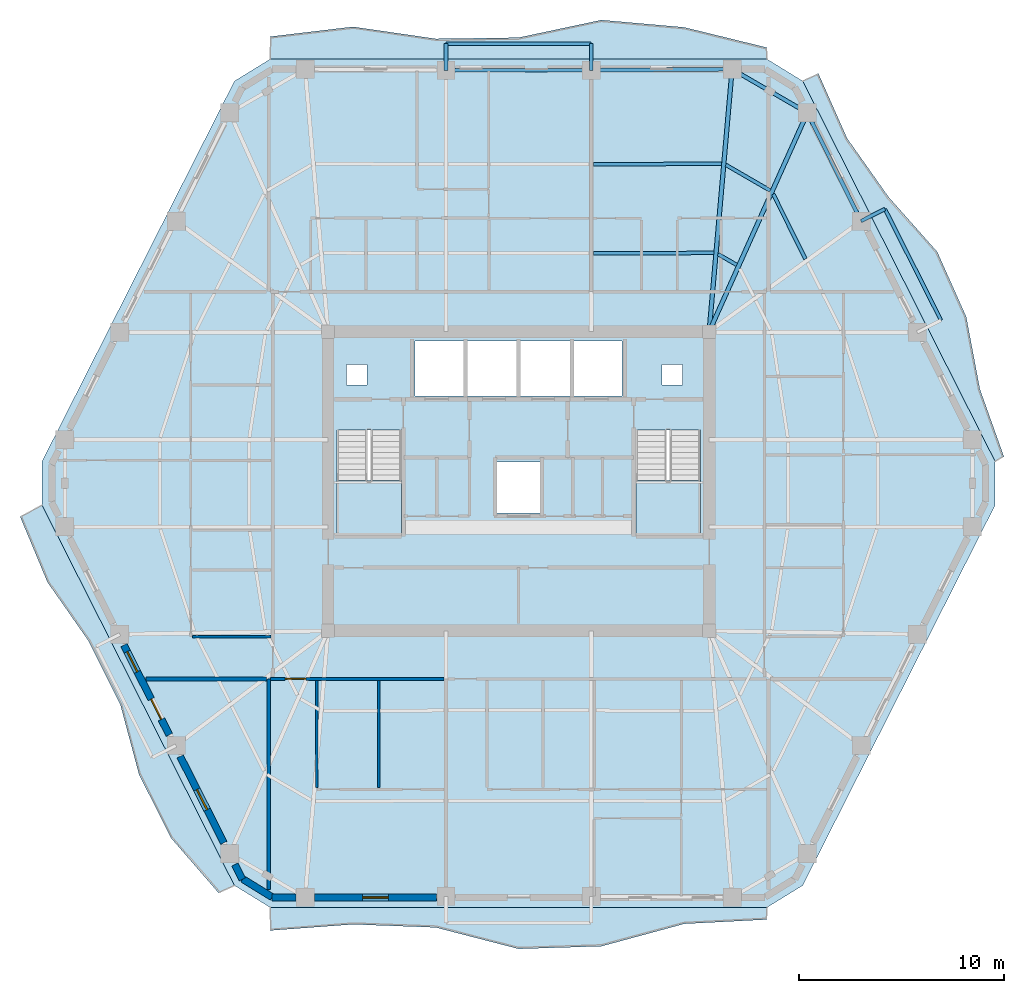
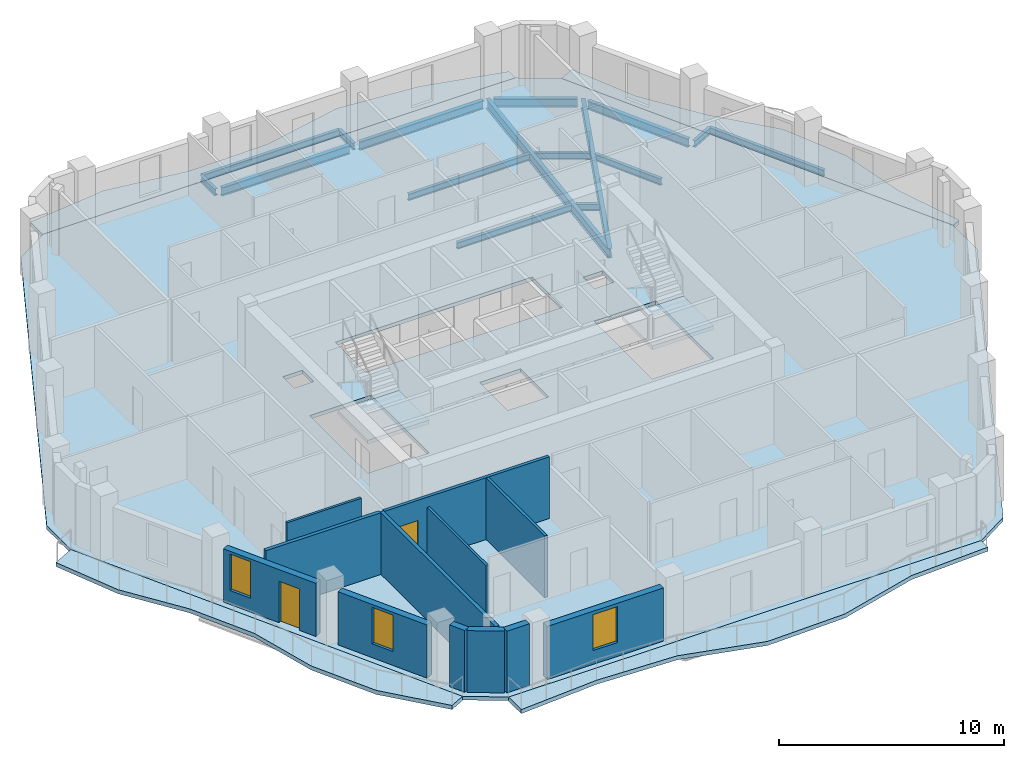
# One storey, part 3 of 11: 16 beams, 12 walls, 7 slabs, 3 windows, 2 doors, 5 openings, 2 elements without a shape of their own.
"""IFC4 building model written with IfcOpenShell, lengths in metres."""

from ifc_helpers import new_model, si_unit, direction, frame, frame_2d, origin, origin_2d, place, context, subcontext, project, spatial, polyline, rectangle, i_section, outline, extrude, material, layer, layer_set, material_profile, profile_set, type_object, element, fill, aggregate, save


model = new_model("IFC4")

# Units and contexts
model_context = context("Model", 3, precision=1e-05, world=origin(), true_north=direction((0.0, 1.0)))
body_context = subcontext(model_context, "Body", "Model", "MODEL_VIEW")
ifc_project = project(units=[si_unit("LENGTHUNIT", "METRE"), si_unit("AREAUNIT", "SQUARE_METRE"), si_unit("VOLUMEUNIT", "CUBIC_METRE"), si_unit("PLANEANGLEUNIT", "RADIAN"), si_unit("MASSUNIT", "GRAM", prefix="KILO")], contexts=[model_context])

# Site, building, storey
site_placement = place(None, origin())
site = spatial("IfcSite", under=ifc_project, at=site_placement, CompositionType="ELEMENT")
building_placement = place(site_placement, origin())
building = spatial("IfcBuilding", under=site, at=building_placement, Name="Cinnabar Lancet Tower", CompositionType="ELEMENT")
storey_placement = place(building_placement, frame((0.0, 0.0, 175.449951171875)))
storey = spatial("IfcBuildingStorey", under=building, at=storey_placement, Name="L46", CompositionType="ELEMENT", Elevation=175.449951171875)

# Beams
ifc_material_1 = material(Name="Structural steel S355", Category="steel")
ifc_material_profile_1 = material_profile(ifc_material_1, i_section(OverallWidth=0.17138671875, OverallDepth=0.35498046875, WebThickness=0.00732421875, FlangeThickness=0.011474609375, FilletRadius=0.01025390625, at=origin_2d()), Name="UKB 356x171x51")
ifc_profile_set_1 = profile_set([ifc_material_profile_1], Name="Structural steel S355")
beam_type_1 = type_object("IfcBeamType", Name="STR-BM-JST-356", PredefinedType="JOIST", material=ifc_profile_set_1)
beam_1_placement = place(storey_placement, frame((46.40087890625, 36.75, -0.3779296875), z_axis=(-0.444780091128, 0.895639810714, 0.0), x_axis=(-0.895639810714, -0.444780091128, 0.0)))
element("IfcBeam", 1, at=beam_1_placement, inside=storey, type_object=beam_type_1, Name="L46 Secondary Floor Joist 29", PredefinedType="JOIST", context=body_context, shape_type="SweptSolid", body=[
    extrude(i_section(OverallWidth=0.17138671875, OverallDepth=0.35498046875, WebThickness=0.00732421875, FlangeThickness=0.011474609375, FilletRadius=0.01025390625, at=origin_2d()), origin(), (0.0, 0.0, 1.0), 3.533935546875),
])
beam_2_placement = place(storey_placement, frame((44.677978515625, 40.089111328125, -0.3779296875), z_axis=(-0.865267839663, 0.501309849937, 0.0), x_axis=(-0.501309849937, -0.865267839663, 0.0)))
element("IfcBeam", 2, at=beam_2_placement, inside=storey, type_object=beam_type_1, Name="L46 Secondary Floor Joist 31", PredefinedType="JOIST", context=body_context, shape_type="SweptSolid", body=[
    extrude(i_section(OverallWidth=0.17138671875, OverallDepth=0.35498046875, WebThickness=0.00732421875, FlangeThickness=0.011474609375, FilletRadius=0.01025390625, at=origin_2d()), origin(), (0.0, 0.0, 1.0), 2.497314453125),
])
beam_3_placement = place(storey_placement, frame((43.047119140625, 36.45703125, -0.3779296875), z_axis=(-0.8651881055, 0.501447446998, 0.0), x_axis=(-0.501447446998, -0.8651881055, 0.0)))
element("IfcBeam", 3, at=beam_3_placement, inside=storey, type_object=beam_type_1, Name="L46 Secondary Floor Joist 32", PredefinedType="JOIST", context=body_context, shape_type="SweptSolid", body=[
    extrude(i_section(OverallWidth=0.17138671875, OverallDepth=0.35498046875, WebThickness=0.00732421875, FlangeThickness=0.011474609375, FilletRadius=0.01025390625, at=origin_2d()), origin(), (0.0, 0.0, 1.0), 1.05322265625),
])
beam_4_placement = place(storey_placement, frame((42.31201171875, 41.39794921875, -0.3779296875), z_axis=(-0.999986965561, -0.005105752523, 0.0), x_axis=(0.005105752523, -0.999986965561, 0.0)))
element("IfcBeam", 4, at=beam_4_placement, inside=storey, type_object=beam_type_1, Name="L46 Secondary Floor Joist 33", PredefinedType="JOIST", context=body_context, shape_type="SweptSolid", body=[
    extrude(i_section(OverallWidth=0.17138671875, OverallDepth=0.35498046875, WebThickness=0.00732421875, FlangeThickness=0.011474609375, FilletRadius=0.01025390625, at=origin_2d()), origin(), (0.0, 0.0, 1.0), 6.263916015625),
])
beam_5_placement = place(storey_placement, frame((41.930908203125, 37.04296875, -0.3779296875), z_axis=(-0.999996795667, -0.002531532393, 0.0), x_axis=(0.002531532393, -0.999996795667, 0.0)))
element("IfcBeam", 5, at=beam_5_placement, inside=storey, type_object=beam_type_1, Name="L46 Secondary Floor Joist 34", PredefinedType="JOIST", context=body_context, shape_type="SweptSolid", body=[
    extrude(i_section(OverallWidth=0.17138671875, OverallDepth=0.35498046875, WebThickness=0.00732421875, FlangeThickness=0.011474609375, FilletRadius=0.01025390625, at=origin_2d()), origin(), (0.0, 0.0, 1.0), 5.8828125),
])
ifc_material_2 = material(Name="Structural steel S355", Category="steel")
ifc_material_profile_2 = material_profile(ifc_material_2, i_section(OverallWidth=0.1904296875, OverallDepth=0.45703125, WebThickness=0.009033203125, FlangeThickness=0.014404296875, FilletRadius=0.01025390625, at=origin_2d()), Name="UKB 457x191x74")
ifc_profile_set_2 = profile_set([ifc_material_profile_2], Name="Structural steel S355")
beam_type_2 = type_object("IfcBeamType", Name="STR-BM-SPN-457", PredefinedType="SPANDREL", material=ifc_profile_set_2)
beam_6_placement = place(storey_placement, frame((49.008056640625, 38.822998046875, -0.427978515625), z_axis=(-0.444932986899, 0.895563865489, 0.0), x_axis=(-0.895563865489, -0.444932986899, 0.0)))
element("IfcBeam", 6, at=beam_6_placement, inside=storey, type_object=beam_type_2, Name="L46 Perimeter Spandrel 11", PredefinedType="SPANDREL", context=body_context, shape_type="SweptSolid", body=[
    extrude(i_section(OverallWidth=0.1904296875, OverallDepth=0.45703125, WebThickness=0.009033203125, FlangeThickness=0.014404296875, FilletRadius=0.01025390625, at=origin_2d()), origin(), (0.0, 0.0, 1.0), 5.398681640625),
])
beam_7_placement = place(storey_placement, frame((46.279052734375, 44.007080078125, -0.427978515625), z_axis=(-0.865195717586, 0.501434313016, 0.0), x_axis=(-0.501434313016, -0.865195717586, 0.0)))
element("IfcBeam", 7, at=beam_7_placement, inside=storey, type_object=beam_type_2, Name="L46 Perimeter Spandrel 12", PredefinedType="SPANDREL", context=body_context, shape_type="SweptSolid", body=[
    extrude(i_section(OverallWidth=0.1904296875, OverallDepth=0.45703125, WebThickness=0.009033203125, FlangeThickness=0.014404296875, FilletRadius=0.01025390625, at=origin_2d()), origin(), (0.0, 0.0, 1.0), 3.7470703125),
])
beam_8_placement = place(storey_placement, frame((42.571044921875, 46.009033203125, -0.427978515625), z_axis=(-0.999970401924, -0.007693846685, 0.0), x_axis=(0.007693846685, -0.999970401924, 0.0)))
element("IfcBeam", 8, at=beam_8_placement, inside=storey, type_object=beam_type_2, Name="L46 Perimeter Spandrel 13", PredefinedType="SPANDREL", context=body_context, shape_type="SweptSolid", body=[
    extrude(i_section(OverallWidth=0.1904296875, OverallDepth=0.45703125, WebThickness=0.009033203125, FlangeThickness=0.014404296875, FilletRadius=0.01025390625, at=origin_2d()), origin(), (0.0, 0.0, 1.0), 6.378173828125),
])
beam_9_placement = place(storey_placement, frame((35.693115234375, 45.9580078125, -0.427978515625), z_axis=(-1.0, 0.0, 0.0), x_axis=(0.0, -1.0, 0.0)))
element("IfcBeam", 9, at=beam_9_placement, inside=storey, type_object=beam_type_2, Name="L46 Perimeter Spandrel 14", PredefinedType="SPANDREL", context=body_context, shape_type="SweptSolid", body=[
    extrude(i_section(OverallWidth=0.1904296875, OverallDepth=0.45703125, WebThickness=0.009033203125, FlangeThickness=0.014404296875, FilletRadius=0.01025390625, at=origin_2d()), origin(), (0.0, 0.0, 1.0), 6.586181640625),
])
ifc_material_3 = material(Name="Structural steel S355", Category="steel")
ifc_material_profile_3 = material_profile(ifc_material_3, i_section(OverallWidth=0.209228515625, OverallDepth=0.533203125, WebThickness=0.010009765625, FlangeThickness=0.015625, FilletRadius=0.0126953125, at=origin_2d()), Name="UKB 533x210x92")
ifc_profile_set_3 = profile_set([ifc_material_profile_3], Name="Structural steel S355")
beam_type_3 = type_object("IfcBeamType", Name="STR-BM-UKB533-92", PredefinedType="BEAM", material=ifc_profile_set_3)
beam_10_placement = place(storey_placement, frame((46.4951171875, 43.882080078125, -0.467041015625), z_axis=(-0.409527011626, -0.912297992297, 0.0), x_axis=(0.912297992297, -0.409527011626, 0.0)))
element("IfcBeam", 10, at=beam_10_placement, inside=storey, type_object=beam_type_3, Name="L46 Primary Floor Girder 12", PredefinedType="BEAM", context=body_context, shape_type="SweptSolid", body=[
    extrude(i_section(OverallWidth=0.209228515625, OverallDepth=0.533203125, WebThickness=0.010009765625, FlangeThickness=0.015625, FilletRadius=0.0126953125, at=origin_2d()), origin(), (0.0, 0.0, 1.0), 11.708984375),
])
beam_11_placement = place(storey_placement, frame((42.821044921875, 46.010986328125, -0.467041015625), z_axis=(-0.087176841412, -0.996192851973, 0.0), x_axis=(0.996192851973, -0.087176841412, 0.0)))
element("IfcBeam", 11, at=beam_11_placement, inside=storey, type_object=beam_type_3, Name="L46 Primary Floor Girder 13", PredefinedType="BEAM", context=body_context, shape_type="SweptSolid", body=[
    extrude(i_section(OverallWidth=0.209228515625, OverallDepth=0.533203125, WebThickness=0.010009765625, FlangeThickness=0.015625, FilletRadius=0.0126953125, at=origin_2d()), origin(), (0.0, 0.0, 1.0), 12.860107421875),
])
ifc_material_4 = material(Name="Structural steel S355", Category="steel")
ifc_material_profile_4 = material_profile(ifc_material_4, i_section(OverallWidth=0.17138671875, OverallDepth=0.35498046875, WebThickness=0.00732421875, FlangeThickness=0.011474609375, FilletRadius=0.01025390625, at=origin_2d()), Name="UKB 356x171x51")
ifc_profile_set_4 = profile_set([ifc_material_profile_4], Name="Structural steel S355")
beam_type_4 = type_object("IfcBeamType", Name="STR-BM-WAV-OUT", PredefinedType="BEAM", material=ifc_profile_set_4)
for number, where, z_axis, x_axis, name in (
    (12, (49.118896484375, 38.59912109375, -0.39794921875), (0.892314203325, 0.451414845285, 0.0), (-0.451414845285, 0.892314203325, 0.0), "L46 Face 3 Balcony Outlooker B"),
    (13, (35.943115234375, 45.9580078125, -0.39794921875), (0.0, 1.0, 0.0), (-1.0, 0.0, 0.0), "L46 Face 4 Balcony Outlooker A"),
    (14, (28.85693359375, 45.9580078125, -0.39794921875), (0.0, 1.0, 0.0), (-1.0, 0.0, 0.0), "L46 Face 4 Balcony Outlooker B"),
):
    element("IfcBeam", number, at=place(storey_placement, frame(where, z_axis=z_axis, x_axis=x_axis)), inside=storey, type_object=beam_type_4, Name=name, PredefinedType="BEAM", context=body_context, shape_type="SweptSolid", body=[
        extrude(i_section(OverallWidth=0.17138671875, OverallDepth=0.35498046875, WebThickness=0.00732421875, FlangeThickness=0.011474609375, FilletRadius=0.01025390625, at=origin_2d()), origin(), (0.0, 0.0, 1.0), 1.300048828125),
    ])
ifc_material_5 = material(Name="Structural steel S355", Category="steel")
ifc_material_profile_5 = material_profile(ifc_material_5, i_section(OverallWidth=0.17138671875, OverallDepth=0.35498046875, WebThickness=0.00732421875, FlangeThickness=0.011474609375, FilletRadius=0.01025390625, at=origin_2d()), Name="UKB 356x171x51")
ifc_profile_set_5 = profile_set([ifc_material_profile_5], Name="Structural steel S355")
beam_type_5 = type_object("IfcBeamType", Name="STR-BM-WAV-TRIM", PredefinedType="SPANDREL", material=ifc_profile_set_5)
beam_12_placement = place(storey_placement, frame((53.01806640625, 33.758056640625, -0.39794921875), z_axis=(-0.450503306898, 0.892774759093, 0.0), x_axis=(-0.892774759093, -0.450503306898, 0.0)))
element("IfcBeam", 15, at=beam_12_placement, inside=storey, type_object=beam_type_5, Name="L46 Face 3 Balcony Edge Trimmer", PredefinedType="SPANDREL", context=body_context, shape_type="SweptSolid", body=[
    extrude(i_section(OverallWidth=0.17138671875, OverallDepth=0.35498046875, WebThickness=0.00732421875, FlangeThickness=0.011474609375, FilletRadius=0.01025390625, at=origin_2d()), origin(), (0.0, 0.0, 1.0), 6.079833984375),
])
beam_13_placement = place(storey_placement, frame((35.943115234375, 47.258056640625, -0.39794921875), z_axis=(-1.0, 0.0, 0.0), x_axis=(0.0, -1.0, 0.0)))
element("IfcBeam", 16, at=beam_13_placement, inside=storey, type_object=beam_type_5, Name="L46 Face 4 Balcony Edge Trimmer", PredefinedType="SPANDREL", context=body_context, shape_type="SweptSolid", body=[
    extrude(i_section(OverallWidth=0.17138671875, OverallDepth=0.35498046875, WebThickness=0.00732421875, FlangeThickness=0.011474609375, FilletRadius=0.01025390625, at=origin_2d()), origin(), (0.0, 0.0, 1.0), 7.086181640625),
])

# Stair, slab
ifc_material_6 = material(Name="Concrete C40/50", Category="concrete")
stair_type = type_object("IfcStairType", Name="ST-CORE", PredefinedType="HALF_TURN_STAIR", material=ifc_material_6)
stair_1_placement = place(storey_placement, origin())
stair_1 = element("IfcStair", 17, at=stair_1_placement, inside=storey, type_object=stair_type, Name="L46 ST-1", PredefinedType="HALF_TURN_STAIR")
ifc_material_7 = material(Name="Concrete C40/50", Category="concrete")
ifc_layer_1 = layer(ifc_material_7, 0.199951171875)
ifc_layer_set_1 = layer_set([ifc_layer_1], Name="Concrete C40/50")
slab_type_1 = type_object("IfcSlabType", Name="LANDING-CORE", PredefinedType="LANDING", material=ifc_layer_set_1)
slab_1_placement = place(storey_placement, frame((0.0, 0.0, 1.574951171875)))
slab_1 = element("IfcSlab", 18, at=slab_1_placement, type_object=slab_type_1, Name="ST-1 landing 1", PredefinedType="LANDING", context=body_context, shape_type="SweptSolid", body=[
    extrude(outline(polyline([(23.52490234375, 25.925048828125), (23.52490234375, 23.25), (26.675048828125, 23.25), (26.675048828125, 25.925048828125), (23.52490234375, 25.925048828125)])), origin(), (0.0, 0.0, 1.0), 0.2001953125),
])
aggregate(stair_1, [slab_1])

stair_2_placement = place(storey_placement, origin())
stair_2 = element("IfcStair", 19, at=stair_2_placement, inside=storey, type_object=stair_type, Name="L46 ST-2", PredefinedType="HALF_TURN_STAIR")
slab_2_placement = place(storey_placement, frame((0.0, 0.0, 1.574951171875)))
slab_2 = element("IfcSlab", 20, at=slab_2_placement, type_object=slab_type_1, Name="ST-2 landing 1", PredefinedType="LANDING", context=body_context, shape_type="SweptSolid", body=[
    extrude(outline(polyline([(38.125, 25.925048828125), (38.125, 23.25), (41.27490234375, 23.25), (41.27490234375, 25.925048828125), (38.125, 25.925048828125)])), origin(), (0.0, 0.0, 1.0), 0.2001953125),
])
aggregate(stair_2, [slab_2])

# Slabs
ifc_material_8 = material(Name="Concrete C40/50", Category="concrete")
ifc_layer_2 = layer(ifc_material_8, 0.199951171875)
ifc_layer_set_2 = layer_set([ifc_layer_2], Name="Concrete C40/50")
slab_type_2 = type_object("IfcSlabType", Name="STR-SLB-FLR-200", PredefinedType="FLOOR", material=ifc_layer_set_2)
slab_3_placement = place(storey_placement, frame((0.0, 0.0, -0.199951171875)))
element("IfcSlab", 21, at=slab_3_placement, inside=storey, type_object=slab_type_2, Name="L46 Structural Floor Slab", PredefinedType="FLOOR", context=body_context, shape_type="SweptSolid", body=[
    extrude(outline(polyline([(18.530029296875, 6.1708984375), (20.27197265625, 5.10009765625), (44.528076171875, 5.10009765625), (46.27001953125, 6.1708984375), (55.657958984375, 24.72900390625), (55.657958984375, 26.87109375), (46.27001953125, 45.428955078125), (44.528076171875, 46.5), (20.27197265625, 46.5), (18.530029296875, 45.428955078125), (9.14208984375, 26.87109375), (9.14208984375, 24.72900390625), (18.530029296875, 6.1708984375)]), holes=[polyline([(23.52490234375, 23.25), (26.675048828125, 23.25), (26.675048828125, 28.3994140625), (23.52490234375, 28.3994140625), (23.52490234375, 23.25)]), polyline([(38.125, 23.25), (41.27490234375, 23.25), (41.27490234375, 28.3994140625), (38.125, 28.3994140625), (38.125, 23.25)]), polyline([(27.35009765625, 30.050048828125), (37.449951171875, 30.050048828125), (37.449951171875, 32.75), (27.35009765625, 32.75), (27.35009765625, 30.050048828125)]), polyline([(31.35009765625, 24.35009765625), (33.449951171875, 24.35009765625), (33.449951171875, 26.85009765625), (31.35009765625, 26.85009765625), (31.35009765625, 24.35009765625)]), polyline([(24.0, 30.60009765625), (25.0, 30.60009765625), (25.0, 31.60009765625), (24.0, 31.60009765625), (24.0, 30.60009765625)]), polyline([(39.39990234375, 30.60009765625), (40.39990234375, 30.60009765625), (40.39990234375, 31.60009765625), (39.39990234375, 31.60009765625), (39.39990234375, 30.60009765625)])]), origin(), (0.0, 0.0, 1.0), 0.199951171875),
])
ifc_material_9 = material(Name="Concrete C45/55", Category="concrete")
ifc_layer_3 = layer(ifc_material_9, 0.219970703125)
ifc_layer_set_3 = layer_set([ifc_layer_3], Name="Concrete C45/55")
slab_type_3 = type_object("IfcSlabType", Name="STR-SLB-WAV-220", PredefinedType="FLOOR", material=ifc_layer_set_3)
slab_4_placement = place(storey_placement, frame((0.0, 0.0, -0.219970703125)))
element("IfcSlab", 22, at=slab_4_placement, inside=storey, type_object=slab_type_3, Name="L46 Face 1 Undulating Wave Balcony Slab", PredefinedType="FLOOR", context=body_context, shape_type="SweptSolid", body=[
    extrude(outline(polyline([(20.27197265625, 5.10009765625), (20.27197265625, 3.971923828125), (24.31494140625, 4.27099609375), (28.35693359375, 4.1201171875), (32.39990234375, 3.074951171875), (36.443115234375, 3.202880859375), (40.485107421875, 4.297119140625), (44.528076171875, 4.508056640625), (44.528076171875, 5.10009765625), (20.27197265625, 5.10009765625)])), origin(), (0.0, 0.0, 1.0), 0.219970703125),
])
slab_5_placement = place(storey_placement, frame((0.0, 0.0, -0.219970703125)))
element("IfcSlab", 23, at=slab_5_placement, inside=storey, type_object=slab_type_3, Name="L46 Face 3 Undulating Wave Balcony Slab", PredefinedType="FLOOR", context=body_context, shape_type="SweptSolid", body=[
    extrude(outline(polyline([(55.657958984375, 26.87109375), (56.092041015625, 27.090087890625), (54.9189453125, 30.382080078125), (54.248046875, 33.927001953125), (52.833984375, 37.095947265625), (50.455078125, 39.777099609375), (48.43310546875, 42.638916015625), (47.02490234375, 45.81103515625), (46.27001953125, 45.428955078125), (55.657958984375, 26.87109375)])), origin(), (0.0, 0.0, 1.0), 0.219970703125),
])
slab_6_placement = place(storey_placement, frame((0.0, 0.0, -0.219970703125)))
element("IfcSlab", 24, at=slab_6_placement, inside=storey, type_object=slab_type_3, Name="L46 Face 4 Undulating Wave Balcony Slab", PredefinedType="FLOOR", context=body_context, shape_type="SweptSolid", body=[
    extrude(outline(polyline([(44.528076171875, 46.5), (44.528076171875, 47.06494140625), (40.485107421875, 48.055908203125), (36.443115234375, 48.412109375), (32.39990234375, 47.552978515625), (28.35693359375, 47.4951171875), (24.31494140625, 48.08203125), (20.27197265625, 47.60107421875), (20.27197265625, 46.5), (44.528076171875, 46.5)])), origin(), (0.0, 0.0, 1.0), 0.219970703125),
])
slab_7_placement = place(storey_placement, frame((0.0, 0.0, -0.219970703125)))
element("IfcSlab", 25, at=slab_7_placement, inside=storey, type_object=slab_type_3, Name="L46 Face 6 Undulating Wave Balcony Slab", PredefinedType="FLOOR", context=body_context, shape_type="SweptSolid", body=[
    extrude(outline(polyline([(9.14208984375, 24.72900390625), (8.06494140625, 24.18408203125), (9.404052734375, 20.97705078125), (11.409912109375, 18.10693359375), (12.9599609375, 15.007080078125), (13.8759765625, 11.5859375), (15.43505859375, 8.489990234375), (17.77392578125, 5.7890625), (18.530029296875, 6.1708984375), (9.14208984375, 24.72900390625)])), origin(), (0.0, 0.0, 1.0), 0.219970703125),
])

# Wall, opening, door
ifc_material_10 = material(Name="Acoustic twin-stud gypsum partition", Category="gypsum")
ifc_layer_4 = layer(ifc_material_10, 0.159912109375)
ifc_layer_set_4 = layer_set([ifc_layer_4], Name="Acoustic twin-stud gypsum partition")
wall_type_1 = type_object("IfcWallType", Name="ARC-WL-CORR-160", PredefinedType="PARTITIONING", material=ifc_layer_set_4)
wall_1_placement = place(storey_placement, frame((20.294921875, 16.25, 0.0), z_axis=(0.0, 0.0, 1.0), x_axis=(1.0, 0.0, 0.0)))
wall_1 = element("IfcWall", 26, at=wall_1_placement, inside=storey, type_object=wall_type_1, Name="L46 Unit S01 Corridor Wall", PredefinedType="PARTITIONING", context=body_context, shape_type="SweptSolid", body=[
    extrude(rectangle(XDim=8.467041015625, YDim=0.159912109375, at=frame_2d((4.2333984375, 0.0))), origin(), (0.0, 0.0, 1.0), 3.35009765625),
])
opening_1_placement = place(wall_1_placement, frame((0.705078125, 0.0, 0.0)))
opening_1 = element("IfcOpeningElement", 27, at=opening_1_placement, cuts=wall_1, Name="Opening UD-01", PredefinedType="OPENING", context=body_context, shape_type="SweptSolid", body=[
    extrude(rectangle(XDim=1.02001953125, YDim=2.25, at=frame_2d((0.510009765625, 1.125))), frame((0.0, 0.08984375, 0.0), z_axis=(0.0, -1.0, 0.0), x_axis=(1.0, 0.0, 0.0)), (0.0, 0.0, 1.0), 0.179931640625),
])
ifc_material_11 = material(Name="Solid timber fire-rated apartment entrance door", Category="wood")
door_type_1 = type_object("IfcDoorType", Name="ARC-DR-UNIT", OperationType="NOTDEFINED", PredefinedType="DOOR", material=ifc_material_11)
door_1_placement = place(opening_1_placement, origin())
door_1 = element("IfcDoor", 28, at=door_1_placement, inside=storey, type_object=door_type_1, Name="DR-L46-S01-ENT", OperationType="SINGLE_SWING_RIGHT", OverallHeight=2.25, OverallWidth=1.02001953125, PredefinedType="DOOR", context=body_context, shape_type="SweptSolid", body=[
    extrude(rectangle(XDim=1.02001953125, YDim=2.25, at=frame_2d((0.510009765625, 1.125))), frame((0.0, 0.02490234375, 0.0), z_axis=(0.0, -1.0, 0.0), x_axis=(1.0, 0.0, 0.0)), (0.0, 0.0, 1.0), 0.050048828125),
])
fill(opening_1, door_1)

# Walls
ifc_material_12 = material(Name="Fire-rated twin-frame acoustic drywall", Category="gypsum")
ifc_layer_5 = layer(ifc_material_12, 0.179931640625)
ifc_layer_set_5 = layer_set([ifc_layer_5], Name="Fire-rated twin-frame acoustic drywall")
wall_type_2 = type_object("IfcWallType", Name="ARC-WL-PARTY-180", PredefinedType="PARTITIONING", material=ifc_layer_set_5)
wall_2_placement = place(storey_placement, frame((20.199951171875, 5.968017578125, 0.0), z_axis=(0.0, 0.0, 1.0), x_axis=(0.0, 1.0, 0.0)))
element("IfcWall", 29, at=wall_2_placement, inside=storey, type_object=wall_type_2, Name="PW-L46-SPTY-202", PredefinedType="PARTITIONING", context=body_context, shape_type="SweptSolid", body=[
    extrude(rectangle(XDim=10.281982421875, YDim=0.179931640625, at=frame_2d((5.14111328125, 0.0))), origin(), (0.0, 0.0, 1.0), 3.35009765625),
])
wall_3_placement = place(storey_placement, frame((14.2109375, 16.25, 0.0), z_axis=(0.0, 0.0, 1.0), x_axis=(1.0, 0.0, 0.0)))
element("IfcWall", 30, at=wall_3_placement, inside=storey, type_object=wall_type_2, Name="PW-L46-WSB", PredefinedType="PARTITIONING", context=body_context, shape_type="SweptSolid", body=[
    extrude(rectangle(XDim=5.89404296875, YDim=0.179931640625, at=frame_2d((2.947021484375, 0.0))), origin(), (0.0, 0.0, 1.0), 3.35009765625),
])
ifc_material_13 = material(Name="Gypsum plasterboard stud partition", Category="gypsum")
ifc_layer_6 = layer(ifc_material_13, 0.125)
ifc_layer_set_6 = layer_set([ifc_layer_6], Name="Gypsum plasterboard stud partition")
wall_type_3 = type_object("IfcWallType", Name="ARC-WL-UNIT-125", PredefinedType="PARTITIONING", material=ifc_layer_set_6)
wall_4_placement = place(storey_placement, frame((22.550048828125, 10.9609375, 0.0), z_axis=(0.0, 0.0, 1.0), x_axis=(0.0, 1.0, 0.0)))
element("IfcWall", 31, at=wall_4_placement, inside=storey, type_object=wall_type_3, Name="UW-L46-S01-FOYE", PredefinedType="PARTITIONING", context=body_context, shape_type="SweptSolid", body=[
    extrude(rectangle(XDim=5.2041015625, YDim=0.125, at=frame_2d((2.60205078125, 0.0))), origin(), (0.0, 0.0, 1.0), 2.80712890625),
])
wall_5_placement = place(storey_placement, frame((16.485107421875, 18.300048828125, 0.0), z_axis=(0.0, 0.0, 1.0), x_axis=(1.0, 0.0, 0.0)))
element("IfcWall", 32, at=wall_5_placement, inside=storey, type_object=wall_type_3, Name="UW-L46-W01-FOYN", PredefinedType="PARTITIONING", context=body_context, shape_type="SweptSolid", body=[
    extrude(rectangle(XDim=3.829833984375, YDim=0.125, at=frame_2d((1.9150390625, 0.0))), origin(), (0.0, 0.0, 1.0), 2.80712890625),
])
ifc_material_14 = material(Name="Moisture-resistant cement-board plumbing wall", Category="masonry")
ifc_layer_7 = layer(ifc_material_14, 0.139892578125)
ifc_layer_set_7 = layer_set([ifc_layer_7], Name="Moisture-resistant cement-board plumbing wall")
wall_type_4 = type_object("IfcWallType", Name="ARC-WL-WET-140", PredefinedType="PLUMBINGWALL", material=ifc_layer_set_7)
wall_6_placement = place(storey_placement, frame((25.576904296875, 10.9609375, 0.0), z_axis=(0.0, 0.0, 1.0), x_axis=(0.0, 1.0, 0.0)))
element("IfcWall", 33, at=wall_6_placement, inside=storey, type_object=wall_type_4, Name="UW-L46-S01-KDV", PredefinedType="PLUMBINGWALL", context=body_context, shape_type="SweptSolid", body=[
    extrude(rectangle(XDim=5.2041015625, YDim=0.139892578125, at=frame_2d((2.60205078125, 0.0))), origin(), (0.0, 0.0, 1.0), 3.35009765625),
])
ifc_material_15 = material(Name="Cinnabar red clay brick", Category="masonry")
ifc_layer_8 = layer(ifc_material_15, 0.340087890625)
ifc_layer_set_8 = layer_set([ifc_layer_8], Name="Cinnabar red clay brick")
wall_type_5 = type_object("IfcWallType", Name="ENV-WL-BRK-RED-340", PredefinedType="STANDARD", material=ifc_layer_set_8)
wall_7_placement = place(storey_placement, frame((18.93798828125, 6.48388671875, 0.0), z_axis=(0.0, 0.0, 1.0), x_axis=(0.851778214877, -0.523902541185, 0.0)))
element("IfcWall", 34, at=wall_7_placement, inside=storey, type_object=wall_type_5, Name="L46 Chamfered Corner Brick Pier 1.1", PredefinedType="STANDARD", context=body_context, shape_type="SweptSolid", body=[
    extrude(rectangle(XDim=1.677734375, YDim=0.340087890625, at=frame_2d((0.8388671875, 0.0))), origin(), (0.0, 0.0, 1.0), 3.35009765625),
])
wall_8_placement = place(storey_placement, frame((20.362060546875, 5.580078125, 0.0), z_axis=(0.0, 0.0, 1.0), x_axis=(1.0, 0.0, 0.0)))
element("IfcWall", 35, at=wall_8_placement, inside=storey, type_object=wall_type_5, Name="L46 Face 1 Masonry Bay Wall 1", PredefinedType="STANDARD", context=body_context, shape_type="SweptSolid", body=[
    extrude(rectangle(XDim=1.162841796875, YDim=0.340087890625, at=frame_2d((0.58154296875, 0.0))), origin(), (0.0, 0.0, 1.0), 3.35009765625),
])

# Wall, opening, window
wall_9_placement = place(storey_placement, frame((22.43310546875, 5.580078125, 0.0), z_axis=(0.0, 0.0, 1.0), x_axis=(1.0, 0.0, 0.0)))
wall_9 = element("IfcWall", 36, at=wall_9_placement, inside=storey, type_object=wall_type_5, Name="L46 Face 1 Masonry Bay Wall 2", PredefinedType="STANDARD", context=body_context, shape_type="SweptSolid", body=[
    extrude(rectangle(XDim=5.969970703125, YDim=0.340087890625, at=frame_2d((2.98486328125, 0.0))), origin(), (0.0, 0.0, 1.0), 2.883056640625),
])
opening_2_placement = place(wall_9_placement, frame((2.360107421875, 0.0, 0.75)))
opening_2 = element("IfcOpeningElement", 37, at=opening_2_placement, cuts=wall_9, Name="Opening WN-03", PredefinedType="OPENING", context=body_context, shape_type="SweptSolid", body=[
    extrude(rectangle(XDim=1.25, YDim=1.949951171875, at=frame_2d((0.625, 0.97509765625))), frame((0.0, 0.179931640625, 0.0), z_axis=(0.0, -1.0, 0.0), x_axis=(1.0, 0.0, 0.0)), (0.0, 0.0, 1.0), 0.360107421875),
])
ifc_material_16 = material(Name="Thermally broken bronze-anodized aluminium low-E double glazing", Category="aluminium")
window_type_1 = type_object("IfcWindowType", Name="ENV-WN-LANCET-1250", PartitioningType="SINGLE_PANEL", PredefinedType="WINDOW", material=ifc_material_16)
window_1_placement = place(opening_2_placement, origin())
window_1 = element("IfcWindow", 38, at=window_1_placement, inside=storey, type_object=window_type_1, Name="L46 Face 1 Gothic Lancet Window 2", OverallHeight=1.949951171875, OverallWidth=1.25, PartitioningType="SINGLE_PANEL", PredefinedType="WINDOW", context=body_context, shape_type="SweptSolid", body=[
    extrude(rectangle(XDim=1.25, YDim=1.949951171875, at=frame_2d((0.625, 0.97509765625))), frame((0.0, 0.030029296875, 0.0), z_axis=(0.0, -1.0, 0.0), x_axis=(1.0, 0.0, 0.0)), (0.0, 0.0, 1.0), 0.06005859375),
])
fill(opening_2, window_1)

# Wall, openings, door, window
wall_10_placement = place(storey_placement, frame((13.135009765625, 17.89794921875, 0.0), z_axis=(0.0, 0.0, 1.0), x_axis=(0.451544279509, -0.892248711763, 0.0)))
wall_10 = element("IfcWall", 39, at=wall_10_placement, inside=storey, type_object=wall_type_5, Name="L46 Face 6 Masonry Bay Wall 3", PredefinedType="STANDARD", context=body_context, shape_type="SweptSolid", body=[
    extrude(rectangle(XDim=4.909912109375, YDim=0.340087890625, at=frame_2d((2.455078125, 0.0))), origin(), (0.0, 0.0, 1.0), 2.883056640625),
])
opening_3_placement = place(wall_10_placement, frame((2.9541015625, 0.0, 0.0)))
opening_3 = element("IfcOpeningElement", 40, at=opening_3_placement, cuts=wall_10, Name="Opening TD-01", PredefinedType="OPENING", context=body_context, shape_type="SweptSolid", body=[
    extrude(rectangle(XDim=1.10009765625, YDim=2.25, at=frame_2d((0.550048828125, 1.125))), frame((0.0, 0.179931640625, 0.0), z_axis=(0.0, -1.0, 0.0), x_axis=(1.0, 0.0, 0.0)), (0.0, 0.0, 1.0), 0.360107421875),
])
opening_4_placement = place(wall_10_placement, frame((0.35302734375, 0.0, 0.75)))
opening_4 = element("IfcOpeningElement", 41, at=opening_4_placement, cuts=wall_10, Name="Opening WN-04", PredefinedType="OPENING", context=body_context, shape_type="SweptSolid", body=[
    extrude(rectangle(XDim=1.10009765625, YDim=1.98291015625, at=frame_2d((0.550048828125, 0.991455078125))), frame((0.0, 0.179931640625, 0.0), z_axis=(0.0, -1.0, 0.0), x_axis=(1.0, 0.0, 0.0)), (0.0, 0.0, 1.0), 0.360107421875),
])
ifc_material_17 = material(Name="Thermally broken low-E glazed balcony terrace door", Category="wood")
door_type_2 = type_object("IfcDoorType", Name="ARC-DR-BALC", OperationType="NOTDEFINED", PredefinedType="DOOR", material=ifc_material_17)
door_2_placement = place(opening_3_placement, origin())
door_2 = element("IfcDoor", 42, at=door_2_placement, inside=storey, type_object=door_type_2, Name="L46 Face 6 Glazed Terrace Door", OperationType="SINGLE_SWING_LEFT", OverallHeight=2.25, OverallWidth=1.10009765625, PredefinedType="DOOR", context=body_context, shape_type="SweptSolid", body=[
    extrude(rectangle(XDim=1.10009765625, YDim=2.25, at=frame_2d((0.550048828125, 1.125))), frame((0.0, 0.02490234375, 0.0), z_axis=(0.0, -1.0, 0.0), x_axis=(1.0, 0.0, 0.0)), (0.0, 0.0, 1.0), 0.050048828125),
])
fill(opening_3, door_2)
ifc_material_18 = material(Name="Thermally broken bronze-anodized aluminium tall lancet window", Category="aluminium")
window_type_2 = type_object("IfcWindowType", Name="ENV-WN-LANCET-1100", PartitioningType="SINGLE_PANEL", PredefinedType="WINDOW", material=ifc_material_18)
window_2_placement = place(opening_4_placement, origin())
window_2 = element("IfcWindow", 43, at=window_2_placement, inside=storey, type_object=window_type_2, Name="L46 Split-Bay Gothic Lancet Window 140", OverallHeight=1.98291015625, OverallWidth=1.10009765625, PartitioningType="SINGLE_PANEL", PredefinedType="WINDOW", context=body_context, shape_type="SweptSolid", body=[
    extrude(rectangle(XDim=1.10009765625, YDim=1.98291015625, at=frame_2d((0.550048828125, 0.991455078125))), frame((0.0, 0.030029296875, 0.0), z_axis=(0.0, -1.0, 0.0), x_axis=(1.0, 0.0, 0.0)), (0.0, 0.0, 1.0), 0.06005859375),
])
fill(opening_4, window_2)

# Wall, opening, window
wall_11_placement = place(storey_placement, frame((15.881103515625, 12.469970703125, 0.0), z_axis=(0.0, 0.0, 1.0), x_axis=(0.451522864045, -0.892259549259, 0.0)))
wall_11 = element("IfcWall", 44, at=wall_11_placement, inside=storey, type_object=wall_type_5, Name="L46 Face 6 Masonry Bay Wall 4", PredefinedType="STANDARD", context=body_context, shape_type="SweptSolid", body=[
    extrude(rectangle(XDim=4.730712890625, YDim=0.340087890625, at=frame_2d((2.365234375, 0.0))), origin(), (0.0, 0.0, 1.0), 2.883056640625),
])
opening_5_placement = place(wall_11_placement, frame((1.81494140625, 0.0, 0.75)))
opening_5 = element("IfcOpeningElement", 45, at=opening_5_placement, cuts=wall_11, Name="Opening WN-04", PredefinedType="OPENING", context=body_context, shape_type="SweptSolid", body=[
    extrude(rectangle(XDim=1.10009765625, YDim=1.98291015625, at=frame_2d((0.550048828125, 0.991455078125))), frame((0.0, 0.179931640625, 0.0), z_axis=(0.0, -1.0, 0.0), x_axis=(1.0, 0.0, 0.0)), (0.0, 0.0, 1.0), 0.360107421875),
])
window_3_placement = place(opening_5_placement, origin())
window_3 = element("IfcWindow", 46, at=window_3_placement, inside=storey, type_object=window_type_2, Name="L46 Face 6 Gothic Lancet Window 4", OverallHeight=1.98291015625, OverallWidth=1.10009765625, PartitioningType="SINGLE_PANEL", PredefinedType="WINDOW", context=body_context, shape_type="SweptSolid", body=[
    extrude(rectangle(XDim=1.10009765625, YDim=1.98291015625, at=frame_2d((0.550048828125, 0.991455078125))), frame((0.0, 0.030029296875, 0.0), z_axis=(0.0, -1.0, 0.0), x_axis=(1.0, 0.0, 0.0)), (0.0, 0.0, 1.0), 0.06005859375),
])
fill(opening_5, window_3)

# Wall
wall_12_placement = place(storey_placement, frame((18.553955078125, 7.18701171875, 0.0), z_axis=(0.0, 0.0, 1.0), x_axis=(0.451691568309, -0.892174157392, 0.0)))
element("IfcWall", 47, at=wall_12_placement, inside=storey, type_object=wall_type_5, Name="L46 Face 6 Masonry Bay Wall 5", PredefinedType="STANDARD", context=body_context, shape_type="SweptSolid", body=[
    extrude(rectangle(XDim=0.805908203125, YDim=0.340087890625, at=frame_2d((0.40283203125, 0.0))), origin(), (0.0, 0.0, 1.0), 3.35009765625),
])

save(model, "model.ifc")
